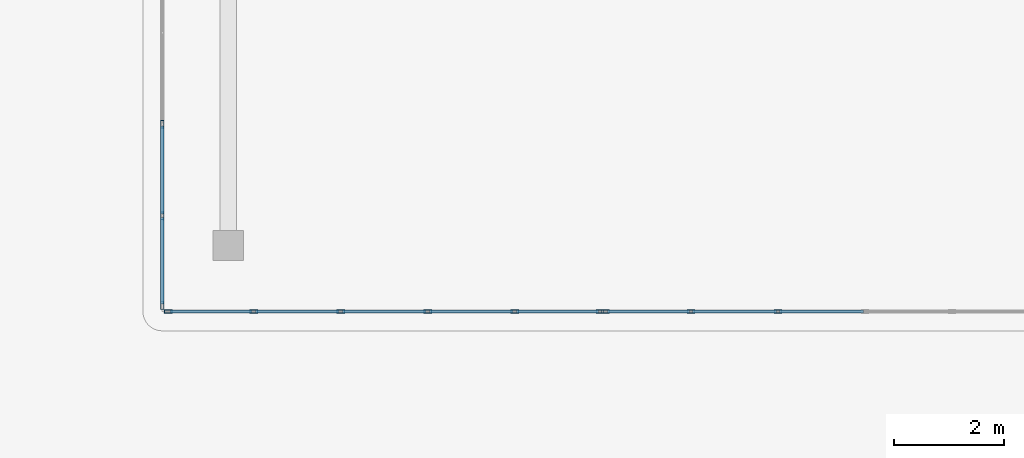
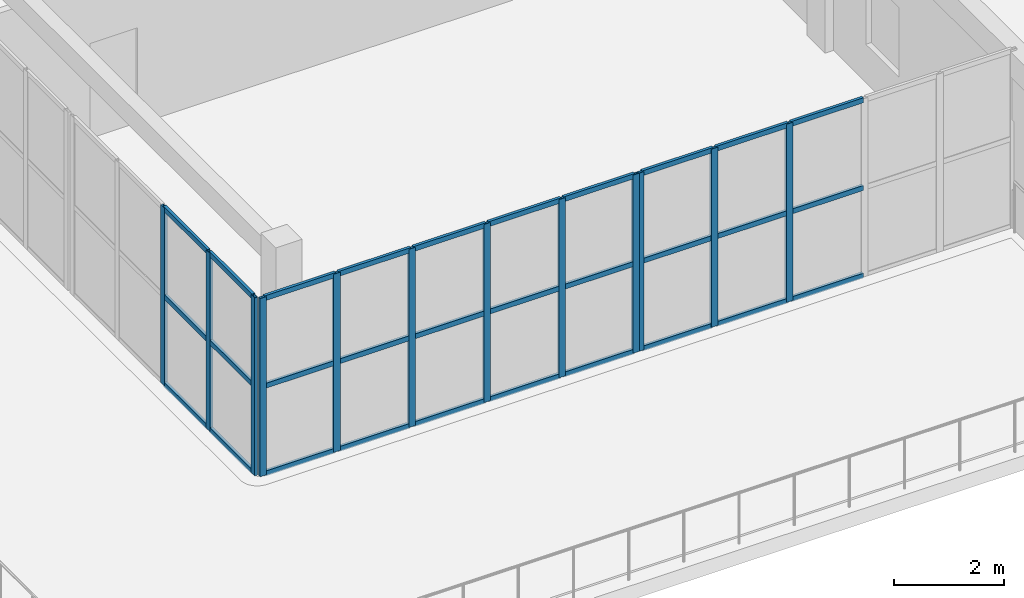
# One storey, part 14 of 90: 42 members, 3 elements without a shape of their own.
"""IFC4 building model written with IfcOpenShell, lengths in metres."""

from ifc_helpers import new_model, si_unit, direction, frame, origin, origin_2d, place, context, subcontext, project, spatial, hollow_rectangle, extrude, material, layer, layer_set, material_profile, profile_set, type_object, element, aggregate, save


model = new_model("IFC4")

# Units and contexts
model_context = context("Model", 3, precision=1e-05, world=origin(), true_north=direction((0.0, 1.0)))
body_context = subcontext(model_context, "Body", "Model", "MODEL_VIEW")
ifc_project = project(units=[si_unit("LENGTHUNIT", "METRE"), si_unit("AREAUNIT", "SQUARE_METRE"), si_unit("VOLUMEUNIT", "CUBIC_METRE"), si_unit("PLANEANGLEUNIT", "RADIAN"), si_unit("MASSUNIT", "GRAM", prefix="KILO")], contexts=[model_context])

# Site, building, storey
site_placement = place(None, origin())
site = spatial("IfcSite", under=ifc_project, at=site_placement, CompositionType="ELEMENT")
building_placement = place(site_placement, origin())
building = spatial("IfcBuilding", under=site, at=building_placement, Name="Trelvath General Hospital", CompositionType="ELEMENT")
storey_placement = place(building_placement, frame((0.0, 0.0, 20.39990234375)))
storey = spatial("IfcBuildingStorey", under=building, at=storey_placement, Name="L05", CompositionType="ELEMENT", Elevation=20.39990234375)

# Curtain wall, members
ifc_material_1 = material(Name="Anodised aluminium and low-E glass", Category="aluminium")
ifc_layer_1 = layer(ifc_material_1, 0.14990234375)
ifc_layer_set_1 = layer_set([ifc_layer_1], Name="Anodised aluminium and low-E glass")
curtain_wall_type_1 = type_object("IfcCurtainWallType", Name="CW CrystalCube 790 396 15", PredefinedType="USERDEFINED", material=ifc_layer_set_1)
curtain_wall_1_placement = place(storey_placement, origin())
curtain_wall_1 = element("IfcCurtainWall", 1, at=curtain_wall_1_placement, inside=storey, type_object=curtain_wall_type_1, Name="Crystal Cube Curtain Wall CUBE-W-T2 S1 L05", ObjectType="Unitised Glazed Curtain Wall", PredefinedType="USERDEFINED")
ifc_material_2 = material(Name="Anodised aluminium", Category="aluminium")
ifc_material_profile_1 = material_profile(ifc_material_2, hollow_rectangle(XDim=0.06005859375, YDim=0.139892578125, WallThickness=0.00390625, at=origin_2d()), Name="RHS60x140x4")
ifc_profile_set_1 = profile_set([ifc_material_profile_1], Name="Anodised aluminium")
member_type_1 = type_object("IfcMemberType", Name="CurtainMullion 60x140", PredefinedType="MULLION", material=ifc_profile_set_1)
member_1_placement = place(storey_placement, frame((67.550048828125, 43.60009765625, 0.0), z_axis=(0.0, 0.0, 1.0), x_axis=(0.0, -1.0, 0.0)))
member_1 = element("IfcMember", 2, at=member_1_placement, type_object=member_type_1, Name="CW-306 mullion 1", PredefinedType="MULLION", context=body_context, shape_type="SweptSolid", body=[
    extrude(hollow_rectangle(XDim=0.06005859375, YDim=0.139892578125, WallThickness=0.00390625, at=origin_2d()), origin(), (0.0, 0.0, 1.0), 3.960205078125),
])
member_2_placement = place(storey_placement, frame((66.0, 43.60009765625, 0.0), z_axis=(0.0, 0.0, 1.0), x_axis=(0.0, -1.0, 0.0)))
member_2 = element("IfcMember", 3, at=member_2_placement, type_object=member_type_1, Name="CW-306 mullion 2", PredefinedType="MULLION", context=body_context, shape_type="SweptSolid", body=[
    extrude(hollow_rectangle(XDim=0.06005859375, YDim=0.139892578125, WallThickness=0.00390625, at=origin_2d()), origin(), (0.0, 0.0, 1.0), 3.960205078125),
])
member_3_placement = place(storey_placement, frame((64.419921875, 43.60009765625, 0.0), z_axis=(0.0, 0.0, 1.0), x_axis=(0.0, -1.0, 0.0)))
member_3 = element("IfcMember", 4, at=member_3_placement, type_object=member_type_1, Name="CW-306 mullion 3", PredefinedType="MULLION", context=body_context, shape_type="SweptSolid", body=[
    extrude(hollow_rectangle(XDim=0.06005859375, YDim=0.139892578125, WallThickness=0.00390625, at=origin_2d()), origin(), (0.0, 0.0, 1.0), 3.960205078125),
])
member_4_placement = place(storey_placement, frame((62.840087890625, 43.60009765625, 0.0), z_axis=(0.0, 0.0, 1.0), x_axis=(0.0, -1.0, 0.0)))
member_4 = element("IfcMember", 5, at=member_4_placement, type_object=member_type_1, Name="CW-306 mullion 4", PredefinedType="MULLION", context=body_context, shape_type="SweptSolid", body=[
    extrude(hollow_rectangle(XDim=0.06005859375, YDim=0.139892578125, WallThickness=0.00390625, at=origin_2d()), origin(), (0.0, 0.0, 1.0), 3.960205078125),
])
member_5_placement = place(storey_placement, frame((61.260009765625, 43.60009765625, 0.0), z_axis=(0.0, 0.0, 1.0), x_axis=(0.0, -1.0, 0.0)))
member_5 = element("IfcMember", 6, at=member_5_placement, type_object=member_type_1, Name="CW-306 mullion 5", PredefinedType="MULLION", context=body_context, shape_type="SweptSolid", body=[
    extrude(hollow_rectangle(XDim=0.06005859375, YDim=0.139892578125, WallThickness=0.00390625, at=origin_2d()), origin(), (0.0, 0.0, 1.0), 3.960205078125),
])
member_6_placement = place(storey_placement, frame((59.7099609375, 43.60009765625, 0.0), z_axis=(0.0, 0.0, 1.0), x_axis=(0.0, -1.0, 0.0)))
member_6 = element("IfcMember", 7, at=member_6_placement, type_object=member_type_1, Name="CW-306 mullion 6", PredefinedType="MULLION", context=body_context, shape_type="SweptSolid", body=[
    extrude(hollow_rectangle(XDim=0.06005859375, YDim=0.139892578125, WallThickness=0.00390625, at=origin_2d()), origin(), (0.0, 0.0, 1.0), 3.960205078125),
])

curtain_wall_2_placement = place(storey_placement, origin())
curtain_wall_2 = element("IfcCurtainWall", 8, at=curtain_wall_2_placement, inside=storey, type_object=curtain_wall_type_1, Name="Crystal Cube Curtain Wall CUBE-W-T2 S2 L05", ObjectType="Unitised Glazed Curtain Wall", PredefinedType="USERDEFINED")
member_7_placement = place(storey_placement, frame((70.780029296875, 43.60009765625, 0.0), z_axis=(0.0, 0.0, 1.0), x_axis=(0.0, -1.0, 0.0)))
member_7 = element("IfcMember", 9, at=member_7_placement, type_object=member_type_1, Name="CW-307 mullion 4", PredefinedType="MULLION", context=body_context, shape_type="SweptSolid", body=[
    extrude(hollow_rectangle(XDim=0.06005859375, YDim=0.139892578125, WallThickness=0.00390625, at=origin_2d()), origin(), (0.0, 0.0, 1.0), 3.960205078125),
])
member_8_placement = place(storey_placement, frame((69.199951171875, 43.60009765625, 0.0), z_axis=(0.0, 0.0, 1.0), x_axis=(0.0, -1.0, 0.0)))
member_8 = element("IfcMember", 10, at=member_8_placement, type_object=member_type_1, Name="CW-307 mullion 5", PredefinedType="MULLION", context=body_context, shape_type="SweptSolid", body=[
    extrude(hollow_rectangle(XDim=0.06005859375, YDim=0.139892578125, WallThickness=0.00390625, at=origin_2d()), origin(), (0.0, 0.0, 1.0), 3.960205078125),
])
member_9_placement = place(storey_placement, frame((67.64990234375, 43.60009765625, 0.0), z_axis=(0.0, 0.0, 1.0), x_axis=(0.0, -1.0, 0.0)))
member_9 = element("IfcMember", 11, at=member_9_placement, type_object=member_type_1, Name="CW-307 mullion 6", PredefinedType="MULLION", context=body_context, shape_type="SweptSolid", body=[
    extrude(hollow_rectangle(XDim=0.06005859375, YDim=0.139892578125, WallThickness=0.00390625, at=origin_2d()), origin(), (0.0, 0.0, 1.0), 3.960205078125),
])

ifc_material_3 = material(Name="Anodised aluminium and low-E glass", Category="aluminium")
ifc_layer_2 = layer(ifc_material_3, 0.14990234375)
ifc_layer_set_2 = layer_set([ifc_layer_2], Name="Anodised aluminium and low-E glass")
curtain_wall_type_2 = type_object("IfcCurtainWallType", Name="CW CrystalCube 664 396 15", PredefinedType="USERDEFINED", material=ifc_layer_set_2)
curtain_wall_3_placement = place(storey_placement, origin())
curtain_wall_3 = element("IfcCurtainWall", 12, at=curtain_wall_3_placement, inside=storey, type_object=curtain_wall_type_2, Name="Crystal Cube Curtain Wall CUBE-W-T2 W1 L05", ObjectType="Unitised Glazed Curtain Wall", PredefinedType="USERDEFINED")
member_10_placement = place(storey_placement, frame((59.60009765625, 43.7099609375, 0.0), z_axis=(0.0, 0.0, 1.0), x_axis=(-1.0, 0.0, 0.0)))
member_10 = element("IfcMember", 13, at=member_10_placement, type_object=member_type_1, Name="CW-310 mullion 1", PredefinedType="MULLION", context=body_context, shape_type="SweptSolid", body=[
    extrude(hollow_rectangle(XDim=0.06005859375, YDim=0.139892578125, WallThickness=0.00390625, at=origin_2d()), origin(), (0.0, 0.0, 1.0), 3.960205078125),
])
member_11_placement = place(storey_placement, frame((59.60009765625, 45.340087890625, 0.0), z_axis=(0.0, 0.0, 1.0), x_axis=(-1.0, 0.0, 0.0)))
member_11 = element("IfcMember", 14, at=member_11_placement, type_object=member_type_1, Name="CW-310 mullion 2", PredefinedType="MULLION", context=body_context, shape_type="SweptSolid", body=[
    extrude(hollow_rectangle(XDim=0.06005859375, YDim=0.139892578125, WallThickness=0.00390625, at=origin_2d()), origin(), (0.0, 0.0, 1.0), 3.960205078125),
])
member_12_placement = place(storey_placement, frame((59.60009765625, 47.0, 0.0), z_axis=(0.0, 0.0, 1.0), x_axis=(-1.0, 0.0, 0.0)))
member_12 = element("IfcMember", 15, at=member_12_placement, type_object=member_type_1, Name="CW-310 mullion 3", PredefinedType="MULLION", context=body_context, shape_type="SweptSolid", body=[
    extrude(hollow_rectangle(XDim=0.06005859375, YDim=0.139892578125, WallThickness=0.00390625, at=origin_2d()), origin(), (0.0, 0.0, 1.0), 3.960205078125),
])

# Member
ifc_material_4 = material(Name="Anodised aluminium", Category="aluminium")
ifc_material_profile_2 = material_profile(ifc_material_4, hollow_rectangle(XDim=0.06005859375, YDim=0.110107421875, WallThickness=0.00390625, at=origin_2d()), Name="RHS60x110x4")
ifc_profile_set_2 = profile_set([ifc_material_profile_2], Name="Anodised aluminium")
member_type_2 = type_object("IfcMemberType", Name="CurtainTransom 60x110", PredefinedType="USERDEFINED", material=ifc_profile_set_2)
member_13_placement = place(storey_placement, frame((67.52001953125, 43.60009765625, 0.030029296875), z_axis=(-1.0, 0.0, 0.0), x_axis=(0.0, -1.0, 0.0)))
member_13 = element("IfcMember", 16, at=member_13_placement, type_object=member_type_2, Name="CW-306 transom 1.1", ObjectType="TRANSOM", PredefinedType="USERDEFINED", context=body_context, shape_type="SweptSolid", body=[
    extrude(hollow_rectangle(XDim=0.06005859375, YDim=0.110107421875, WallThickness=0.00390625, at=origin_2d()), origin(), (0.0, 0.0, 1.0), 1.489990234375),
])

member_14_placement = place(storey_placement, frame((67.52001953125, 43.60009765625, 1.97998046875), z_axis=(-1.0, 0.0, 0.0), x_axis=(0.0, -1.0, 0.0)))
member_14 = element("IfcMember", 17, at=member_14_placement, type_object=member_type_2, Name="CW-306 transom 1.2", ObjectType="TRANSOM", PredefinedType="USERDEFINED", context=body_context, shape_type="SweptSolid", body=[
    extrude(hollow_rectangle(XDim=0.06005859375, YDim=0.110107421875, WallThickness=0.00390625, at=origin_2d()), origin(), (0.0, 0.0, 1.0), 1.489990234375),
])

member_15_placement = place(storey_placement, frame((67.52001953125, 43.60009765625, 3.93017578125), z_axis=(-1.0, 0.0, 0.0), x_axis=(0.0, -1.0, 0.0)))
member_15 = element("IfcMember", 18, at=member_15_placement, type_object=member_type_2, Name="CW-306 transom 1.3", ObjectType="TRANSOM", PredefinedType="USERDEFINED", context=body_context, shape_type="SweptSolid", body=[
    extrude(hollow_rectangle(XDim=0.06005859375, YDim=0.110107421875, WallThickness=0.00390625, at=origin_2d()), origin(), (0.0, 0.0, 1.0), 1.489990234375),
])

member_16_placement = place(storey_placement, frame((65.969970703125, 43.60009765625, 0.030029296875), z_axis=(-1.0, 0.0, 0.0), x_axis=(0.0, -1.0, 0.0)))
member_16 = element("IfcMember", 19, at=member_16_placement, type_object=member_type_2, Name="CW-306 transom 2.1", ObjectType="TRANSOM", PredefinedType="USERDEFINED", context=body_context, shape_type="SweptSolid", body=[
    extrude(hollow_rectangle(XDim=0.06005859375, YDim=0.110107421875, WallThickness=0.00390625, at=origin_2d()), origin(), (0.0, 0.0, 1.0), 1.52001953125),
])

member_17_placement = place(storey_placement, frame((65.969970703125, 43.60009765625, 1.97998046875), z_axis=(-1.0, 0.0, 0.0), x_axis=(0.0, -1.0, 0.0)))
member_17 = element("IfcMember", 20, at=member_17_placement, type_object=member_type_2, Name="CW-306 transom 2.2", ObjectType="TRANSOM", PredefinedType="USERDEFINED", context=body_context, shape_type="SweptSolid", body=[
    extrude(hollow_rectangle(XDim=0.06005859375, YDim=0.110107421875, WallThickness=0.00390625, at=origin_2d()), origin(), (0.0, 0.0, 1.0), 1.52001953125),
])

member_18_placement = place(storey_placement, frame((65.969970703125, 43.60009765625, 3.93017578125), z_axis=(-1.0, 0.0, 0.0), x_axis=(0.0, -1.0, 0.0)))
member_18 = element("IfcMember", 21, at=member_18_placement, type_object=member_type_2, Name="CW-306 transom 2.3", ObjectType="TRANSOM", PredefinedType="USERDEFINED", context=body_context, shape_type="SweptSolid", body=[
    extrude(hollow_rectangle(XDim=0.06005859375, YDim=0.110107421875, WallThickness=0.00390625, at=origin_2d()), origin(), (0.0, 0.0, 1.0), 1.52001953125),
])

member_19_placement = place(storey_placement, frame((64.389892578125, 43.60009765625, 0.030029296875), z_axis=(-1.0, 0.0, 0.0), x_axis=(0.0, -1.0, 0.0)))
member_19 = element("IfcMember", 22, at=member_19_placement, type_object=member_type_2, Name="CW-306 transom 3.1", ObjectType="TRANSOM", PredefinedType="USERDEFINED", context=body_context, shape_type="SweptSolid", body=[
    extrude(hollow_rectangle(XDim=0.06005859375, YDim=0.110107421875, WallThickness=0.00390625, at=origin_2d()), origin(), (0.0, 0.0, 1.0), 1.519775390625),
])

member_20_placement = place(storey_placement, frame((64.389892578125, 43.60009765625, 1.97998046875), z_axis=(-1.0, 0.0, 0.0), x_axis=(0.0, -1.0, 0.0)))
member_20 = element("IfcMember", 23, at=member_20_placement, type_object=member_type_2, Name="CW-306 transom 3.2", ObjectType="TRANSOM", PredefinedType="USERDEFINED", context=body_context, shape_type="SweptSolid", body=[
    extrude(hollow_rectangle(XDim=0.06005859375, YDim=0.110107421875, WallThickness=0.00390625, at=origin_2d()), origin(), (0.0, 0.0, 1.0), 1.519775390625),
])

member_21_placement = place(storey_placement, frame((64.389892578125, 43.60009765625, 3.93017578125), z_axis=(-1.0, 0.0, 0.0), x_axis=(0.0, -1.0, 0.0)))
member_21 = element("IfcMember", 24, at=member_21_placement, type_object=member_type_2, Name="CW-306 transom 3.3", ObjectType="TRANSOM", PredefinedType="USERDEFINED", context=body_context, shape_type="SweptSolid", body=[
    extrude(hollow_rectangle(XDim=0.06005859375, YDim=0.110107421875, WallThickness=0.00390625, at=origin_2d()), origin(), (0.0, 0.0, 1.0), 1.519775390625),
])

member_22_placement = place(storey_placement, frame((62.81005859375, 43.60009765625, 0.030029296875), z_axis=(-1.0, 0.0, 0.0), x_axis=(0.0, -1.0, 0.0)))
member_22 = element("IfcMember", 25, at=member_22_placement, type_object=member_type_2, Name="CW-306 transom 4.1", ObjectType="TRANSOM", PredefinedType="USERDEFINED", context=body_context, shape_type="SweptSolid", body=[
    extrude(hollow_rectangle(XDim=0.06005859375, YDim=0.110107421875, WallThickness=0.00390625, at=origin_2d()), origin(), (0.0, 0.0, 1.0), 1.52001953125),
])

member_23_placement = place(storey_placement, frame((62.81005859375, 43.60009765625, 1.97998046875), z_axis=(-1.0, 0.0, 0.0), x_axis=(0.0, -1.0, 0.0)))
member_23 = element("IfcMember", 26, at=member_23_placement, type_object=member_type_2, Name="CW-306 transom 4.2", ObjectType="TRANSOM", PredefinedType="USERDEFINED", context=body_context, shape_type="SweptSolid", body=[
    extrude(hollow_rectangle(XDim=0.06005859375, YDim=0.110107421875, WallThickness=0.00390625, at=origin_2d()), origin(), (0.0, 0.0, 1.0), 1.52001953125),
])

member_24_placement = place(storey_placement, frame((62.81005859375, 43.60009765625, 3.93017578125), z_axis=(-1.0, 0.0, 0.0), x_axis=(0.0, -1.0, 0.0)))
member_24 = element("IfcMember", 27, at=member_24_placement, type_object=member_type_2, Name="CW-306 transom 4.3", ObjectType="TRANSOM", PredefinedType="USERDEFINED", context=body_context, shape_type="SweptSolid", body=[
    extrude(hollow_rectangle(XDim=0.06005859375, YDim=0.110107421875, WallThickness=0.00390625, at=origin_2d()), origin(), (0.0, 0.0, 1.0), 1.52001953125),
])

member_25_placement = place(storey_placement, frame((61.22998046875, 43.60009765625, 0.030029296875), z_axis=(-1.0, 0.0, 0.0), x_axis=(0.0, -1.0, 0.0)))
member_25 = element("IfcMember", 28, at=member_25_placement, type_object=member_type_2, Name="CW-306 transom 5.1", ObjectType="TRANSOM", PredefinedType="USERDEFINED", context=body_context, shape_type="SweptSolid", body=[
    extrude(hollow_rectangle(XDim=0.06005859375, YDim=0.110107421875, WallThickness=0.00390625, at=origin_2d()), origin(), (0.0, 0.0, 1.0), 1.489990234375),
])

member_26_placement = place(storey_placement, frame((61.22998046875, 43.60009765625, 1.97998046875), z_axis=(-1.0, 0.0, 0.0), x_axis=(0.0, -1.0, 0.0)))
member_26 = element("IfcMember", 29, at=member_26_placement, type_object=member_type_2, Name="CW-306 transom 5.2", ObjectType="TRANSOM", PredefinedType="USERDEFINED", context=body_context, shape_type="SweptSolid", body=[
    extrude(hollow_rectangle(XDim=0.06005859375, YDim=0.110107421875, WallThickness=0.00390625, at=origin_2d()), origin(), (0.0, 0.0, 1.0), 1.489990234375),
])

member_27_placement = place(storey_placement, frame((61.22998046875, 43.60009765625, 3.93017578125), z_axis=(-1.0, 0.0, 0.0), x_axis=(0.0, -1.0, 0.0)))
member_27 = element("IfcMember", 30, at=member_27_placement, type_object=member_type_2, Name="CW-306 transom 5.3", ObjectType="TRANSOM", PredefinedType="USERDEFINED", context=body_context, shape_type="SweptSolid", body=[
    extrude(hollow_rectangle(XDim=0.06005859375, YDim=0.110107421875, WallThickness=0.00390625, at=origin_2d()), origin(), (0.0, 0.0, 1.0), 1.489990234375),
])

aggregate(curtain_wall_1, [member_1, member_2, member_3, member_4, member_5, member_6, member_13, member_14, member_15, member_16, member_17, member_18, member_19, member_20, member_21, member_22, member_23, member_24, member_25, member_26, member_27])

member_28_placement = place(storey_placement, frame((72.330078125, 43.60009765625, 0.030029296875), z_axis=(-1.0, 0.0, 0.0), x_axis=(0.0, -1.0, 0.0)))
member_28 = element("IfcMember", 31, at=member_28_placement, type_object=member_type_2, Name="CW-307 transom 3.1", ObjectType="TRANSOM", PredefinedType="USERDEFINED", context=body_context, shape_type="SweptSolid", body=[
    extrude(hollow_rectangle(XDim=0.06005859375, YDim=0.110107421875, WallThickness=0.00390625, at=origin_2d()), origin(), (0.0, 0.0, 1.0), 1.52001953125),
])

member_29_placement = place(storey_placement, frame((72.330078125, 43.60009765625, 1.97998046875), z_axis=(-1.0, 0.0, 0.0), x_axis=(0.0, -1.0, 0.0)))
member_29 = element("IfcMember", 32, at=member_29_placement, type_object=member_type_2, Name="CW-307 transom 3.2", ObjectType="TRANSOM", PredefinedType="USERDEFINED", context=body_context, shape_type="SweptSolid", body=[
    extrude(hollow_rectangle(XDim=0.06005859375, YDim=0.110107421875, WallThickness=0.00390625, at=origin_2d()), origin(), (0.0, 0.0, 1.0), 1.52001953125),
])

member_30_placement = place(storey_placement, frame((72.330078125, 43.60009765625, 3.93017578125), z_axis=(-1.0, 0.0, 0.0), x_axis=(0.0, -1.0, 0.0)))
member_30 = element("IfcMember", 33, at=member_30_placement, type_object=member_type_2, Name="CW-307 transom 3.3", ObjectType="TRANSOM", PredefinedType="USERDEFINED", context=body_context, shape_type="SweptSolid", body=[
    extrude(hollow_rectangle(XDim=0.06005859375, YDim=0.110107421875, WallThickness=0.00390625, at=origin_2d()), origin(), (0.0, 0.0, 1.0), 1.52001953125),
])

member_31_placement = place(storey_placement, frame((70.75, 43.60009765625, 0.030029296875), z_axis=(-1.0, 0.0, 0.0), x_axis=(0.0, -1.0, 0.0)))
member_31 = element("IfcMember", 34, at=member_31_placement, type_object=member_type_2, Name="CW-307 transom 4.1", ObjectType="TRANSOM", PredefinedType="USERDEFINED", context=body_context, shape_type="SweptSolid", body=[
    extrude(hollow_rectangle(XDim=0.06005859375, YDim=0.110107421875, WallThickness=0.00390625, at=origin_2d()), origin(), (0.0, 0.0, 1.0), 1.52001953125),
])

member_32_placement = place(storey_placement, frame((70.75, 43.60009765625, 1.97998046875), z_axis=(-1.0, 0.0, 0.0), x_axis=(0.0, -1.0, 0.0)))
member_32 = element("IfcMember", 35, at=member_32_placement, type_object=member_type_2, Name="CW-307 transom 4.2", ObjectType="TRANSOM", PredefinedType="USERDEFINED", context=body_context, shape_type="SweptSolid", body=[
    extrude(hollow_rectangle(XDim=0.06005859375, YDim=0.110107421875, WallThickness=0.00390625, at=origin_2d()), origin(), (0.0, 0.0, 1.0), 1.52001953125),
])

member_33_placement = place(storey_placement, frame((70.75, 43.60009765625, 3.93017578125), z_axis=(-1.0, 0.0, 0.0), x_axis=(0.0, -1.0, 0.0)))
member_33 = element("IfcMember", 36, at=member_33_placement, type_object=member_type_2, Name="CW-307 transom 4.3", ObjectType="TRANSOM", PredefinedType="USERDEFINED", context=body_context, shape_type="SweptSolid", body=[
    extrude(hollow_rectangle(XDim=0.06005859375, YDim=0.110107421875, WallThickness=0.00390625, at=origin_2d()), origin(), (0.0, 0.0, 1.0), 1.52001953125),
])

member_34_placement = place(storey_placement, frame((69.169921875, 43.60009765625, 0.030029296875), z_axis=(-1.0, 0.0, 0.0), x_axis=(0.0, -1.0, 0.0)))
member_34 = element("IfcMember", 37, at=member_34_placement, type_object=member_type_2, Name="CW-307 transom 5.1", ObjectType="TRANSOM", PredefinedType="USERDEFINED", context=body_context, shape_type="SweptSolid", body=[
    extrude(hollow_rectangle(XDim=0.06005859375, YDim=0.110107421875, WallThickness=0.00390625, at=origin_2d()), origin(), (0.0, 0.0, 1.0), 1.489990234375),
])

member_35_placement = place(storey_placement, frame((69.169921875, 43.60009765625, 1.97998046875), z_axis=(-1.0, 0.0, 0.0), x_axis=(0.0, -1.0, 0.0)))
member_35 = element("IfcMember", 38, at=member_35_placement, type_object=member_type_2, Name="CW-307 transom 5.2", ObjectType="TRANSOM", PredefinedType="USERDEFINED", context=body_context, shape_type="SweptSolid", body=[
    extrude(hollow_rectangle(XDim=0.06005859375, YDim=0.110107421875, WallThickness=0.00390625, at=origin_2d()), origin(), (0.0, 0.0, 1.0), 1.489990234375),
])

member_36_placement = place(storey_placement, frame((69.169921875, 43.60009765625, 3.93017578125), z_axis=(-1.0, 0.0, 0.0), x_axis=(0.0, -1.0, 0.0)))
member_36 = element("IfcMember", 39, at=member_36_placement, type_object=member_type_2, Name="CW-307 transom 5.3", ObjectType="TRANSOM", PredefinedType="USERDEFINED", context=body_context, shape_type="SweptSolid", body=[
    extrude(hollow_rectangle(XDim=0.06005859375, YDim=0.110107421875, WallThickness=0.00390625, at=origin_2d()), origin(), (0.0, 0.0, 1.0), 1.489990234375),
])

aggregate(curtain_wall_2, [member_7, member_8, member_9, member_28, member_29, member_30, member_31, member_32, member_33, member_34, member_35, member_36])

member_37_placement = place(storey_placement, frame((59.60009765625, 43.739990234375, 0.030029296875), z_axis=(0.0, 1.0, 0.0), x_axis=(-1.0, 0.0, 0.0)))
member_37 = element("IfcMember", 40, at=member_37_placement, type_object=member_type_2, Name="CW-310 transom 1.1", ObjectType="TRANSOM", PredefinedType="USERDEFINED", context=body_context, shape_type="SweptSolid", body=[
    extrude(hollow_rectangle(XDim=0.06005859375, YDim=0.110107421875, WallThickness=0.00390625, at=origin_2d()), origin(), (0.0, 0.0, 1.0), 1.570068359375),
])

member_38_placement = place(storey_placement, frame((59.60009765625, 43.739990234375, 1.97998046875), z_axis=(0.0, 1.0, 0.0), x_axis=(-1.0, 0.0, 0.0)))
member_38 = element("IfcMember", 41, at=member_38_placement, type_object=member_type_2, Name="CW-310 transom 1.2", ObjectType="TRANSOM", PredefinedType="USERDEFINED", context=body_context, shape_type="SweptSolid", body=[
    extrude(hollow_rectangle(XDim=0.06005859375, YDim=0.110107421875, WallThickness=0.00390625, at=origin_2d()), origin(), (0.0, 0.0, 1.0), 1.570068359375),
])

member_39_placement = place(storey_placement, frame((59.60009765625, 43.739990234375, 3.93017578125), z_axis=(0.0, 1.0, 0.0), x_axis=(-1.0, 0.0, 0.0)))
member_39 = element("IfcMember", 42, at=member_39_placement, type_object=member_type_2, Name="CW-310 transom 1.3", ObjectType="TRANSOM", PredefinedType="USERDEFINED", context=body_context, shape_type="SweptSolid", body=[
    extrude(hollow_rectangle(XDim=0.06005859375, YDim=0.110107421875, WallThickness=0.00390625, at=origin_2d()), origin(), (0.0, 0.0, 1.0), 1.570068359375),
])

member_40_placement = place(storey_placement, frame((59.60009765625, 45.3701171875, 0.030029296875), z_axis=(0.0, 1.0, 0.0), x_axis=(-1.0, 0.0, 0.0)))
member_40 = element("IfcMember", 43, at=member_40_placement, type_object=member_type_2, Name="CW-310 transom 2.1", ObjectType="TRANSOM", PredefinedType="USERDEFINED", context=body_context, shape_type="SweptSolid", body=[
    extrude(hollow_rectangle(XDim=0.06005859375, YDim=0.110107421875, WallThickness=0.00390625, at=origin_2d()), origin(), (0.0, 0.0, 1.0), 1.599853515625),
])

member_41_placement = place(storey_placement, frame((59.60009765625, 45.3701171875, 1.97998046875), z_axis=(0.0, 1.0, 0.0), x_axis=(-1.0, 0.0, 0.0)))
member_41 = element("IfcMember", 44, at=member_41_placement, type_object=member_type_2, Name="CW-310 transom 2.2", ObjectType="TRANSOM", PredefinedType="USERDEFINED", context=body_context, shape_type="SweptSolid", body=[
    extrude(hollow_rectangle(XDim=0.06005859375, YDim=0.110107421875, WallThickness=0.00390625, at=origin_2d()), origin(), (0.0, 0.0, 1.0), 1.599853515625),
])

member_42_placement = place(storey_placement, frame((59.60009765625, 45.3701171875, 3.93017578125), z_axis=(0.0, 1.0, 0.0), x_axis=(-1.0, 0.0, 0.0)))
member_42 = element("IfcMember", 45, at=member_42_placement, type_object=member_type_2, Name="CW-310 transom 2.3", ObjectType="TRANSOM", PredefinedType="USERDEFINED", context=body_context, shape_type="SweptSolid", body=[
    extrude(hollow_rectangle(XDim=0.06005859375, YDim=0.110107421875, WallThickness=0.00390625, at=origin_2d()), origin(), (0.0, 0.0, 1.0), 1.599853515625),
])

aggregate(curtain_wall_3, [member_10, member_11, member_12, member_37, member_38, member_39, member_40, member_41, member_42])

save(model, "model.ifc")
